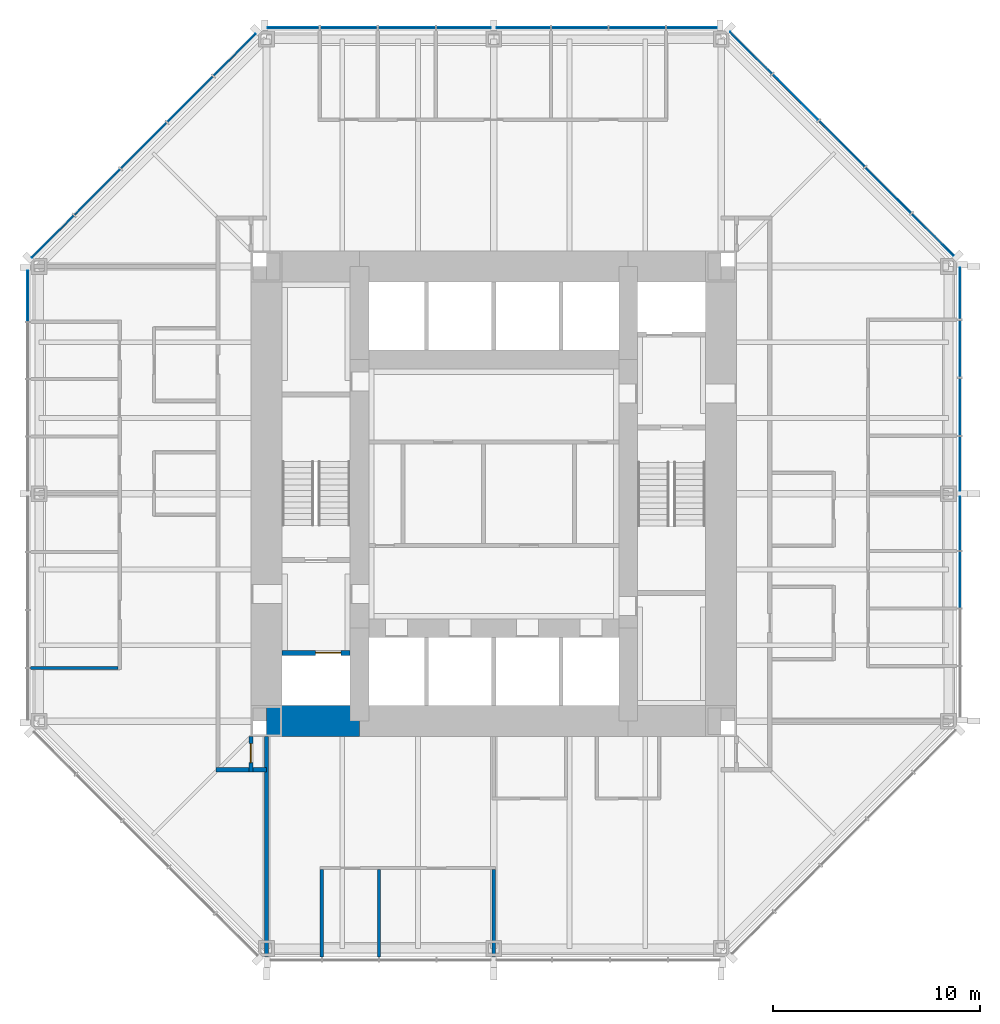
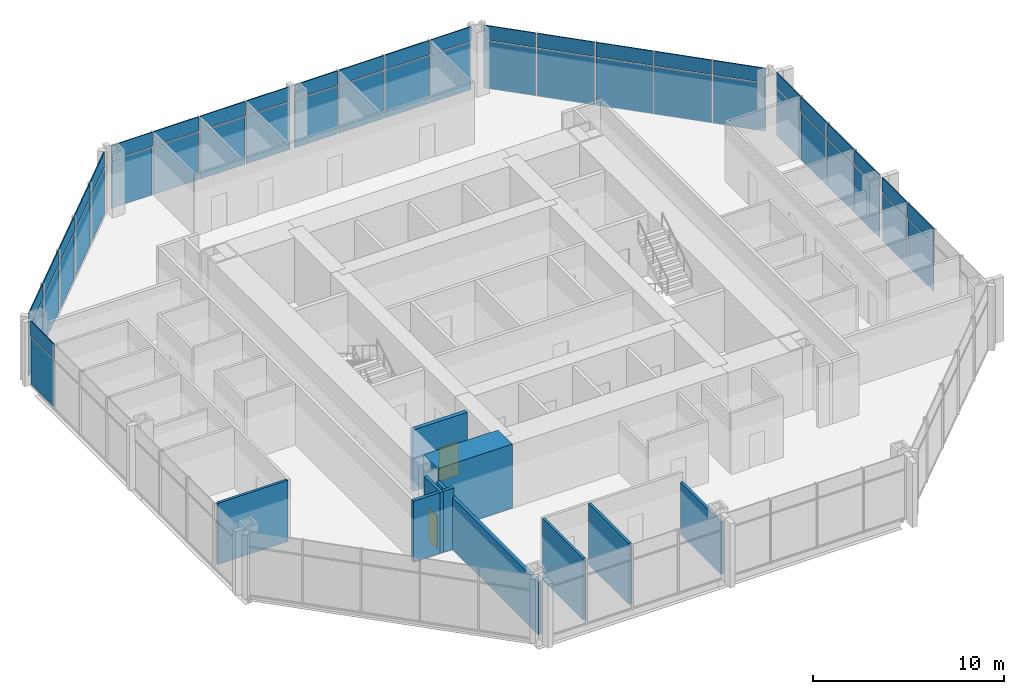
# One storey, part 8 of 12: 50 plates, 9 walls, 2 doors, 2 openings, 5 elements without a shape of their own.
"""IFC4 building model written with IfcOpenShell, lengths in metres."""

from ifc_helpers import new_model, si_unit, direction, frame, frame_2d, origin, origin_2d, place, context, subcontext, project, spatial, rectangle, extrude, material, layer, layer_set, type_object, element, fill, aggregate, save


model = new_model("IFC4")

# Units and contexts
model_context = context("Model", 3, precision=1e-05, world=origin(), true_north=direction((0.0, 1.0)))
body_context = subcontext(model_context, "Body", "Model", "MODEL_VIEW")
ifc_project = project(units=[si_unit("LENGTHUNIT", "METRE"), si_unit("AREAUNIT", "SQUARE_METRE"), si_unit("VOLUMEUNIT", "CUBIC_METRE"), si_unit("PLANEANGLEUNIT", "RADIAN"), si_unit("MASSUNIT", "GRAM", prefix="KILO")], contexts=[model_context])

# Site, building, storey
site_placement = place(None, origin())
site = spatial("IfcSite", under=ifc_project, at=site_placement, CompositionType="ELEMENT")
building_placement = place(site_placement, origin())
building = spatial("IfcBuilding", under=site, at=building_placement, Name="Trevanion Tower", CompositionType="ELEMENT")
storey_placement = place(building_placement, frame((0.0, 0.0, 117.199951171875)))
storey = spatial("IfcBuildingStorey", under=building, at=storey_placement, Name="L27", CompositionType="ELEMENT", Elevation=117.199951171875)

# Curtain wall, plates
ifc_material_1 = material(Name="Aluminium and glass", Category="aluminium")
curtain_wall_type = type_object("IfcCurtainWallType", Name="CW2 curtain wall", PredefinedType="USERDEFINED", material=ifc_material_1)
curtain_wall_1_placement = place(storey_placement, origin())
curtain_wall_1 = element("IfcCurtainWall", 1, at=curtain_wall_1_placement, inside=storey, type_object=curtain_wall_type, Name="CW2 L27 0", ObjectType="UNITISED CURTAIN WALL", PredefinedType="USERDEFINED")
ifc_material_2 = material(Name="Aluminium spandrel panel", Category="aluminium")
ifc_layer_1 = layer(ifc_material_2, 0.06005859375)
ifc_layer_set_1 = layer_set([ifc_layer_1], Name="CW2 spandrel panel")
plate_type_1 = type_object("IfcPlateType", Name="CW2 spandrel panel", PredefinedType="CURTAIN_PANEL", material=ifc_layer_set_1)
plate_1_placement = place(storey_placement, frame((22.550048828125, -4.16162109375, 2.99755859375), z_axis=(0.0, 0.0, 1.0), x_axis=(0.0, 1.0, 0.0)))
plate_1 = element("IfcPlate", 2, at=plate_1_placement, type_object=plate_type_1, Name="CW2 panel 3.2", PredefinedType="CURTAIN_PANEL", context=body_context, shape_type="SweptSolid", body=[
    extrude(rectangle(XDim=2.699462890625, YDim=0.06005859375, at=origin_2d()), origin(), (0.0, 0.0, 1.0), 0.91259765625),
])
plate_2_placement = place(storey_placement, frame((22.550048828125, -1.443603515625, 2.99755859375), z_axis=(0.0, 0.0, 1.0), x_axis=(0.0, 1.0, 0.0)))
plate_2 = element("IfcPlate", 3, at=plate_2_placement, type_object=plate_type_1, Name="CW2 panel 4.2", PredefinedType="CURTAIN_PANEL", context=body_context, shape_type="SweptSolid", body=[
    extrude(rectangle(XDim=2.5869140625, YDim=0.06005859375, at=origin_2d()), origin(), (0.0, 0.0, 1.0), 0.91259765625),
])
plate_3_placement = place(storey_placement, frame((22.550048828125, 1.459716796875, 2.99755859375), z_axis=(0.0, 0.0, 1.0), x_axis=(0.0, 1.0, 0.0)))
plate_3 = element("IfcPlate", 4, at=plate_3_placement, type_object=plate_type_1, Name="CW2 panel 5.2", PredefinedType="CURTAIN_PANEL", context=body_context, shape_type="SweptSolid", body=[
    extrude(rectangle(XDim=2.619384765625, YDim=0.06005859375, at=origin_2d()), origin(), (0.0, 0.0, 1.0), 0.91259765625),
])
plate_4_placement = place(storey_placement, frame((22.550048828125, 4.21044921875, 2.99755859375), z_axis=(0.0, 0.0, 1.0), x_axis=(0.0, 1.0, 0.0)))
plate_4 = element("IfcPlate", 5, at=plate_4_placement, type_object=plate_type_1, Name="CW2 panel 6.2", PredefinedType="CURTAIN_PANEL", context=body_context, shape_type="SweptSolid", body=[
    extrude(rectangle(XDim=2.73193359375, YDim=0.06005859375, at=origin_2d()), origin(), (0.0, 0.0, 1.0), 0.91259765625),
])
plate_5_placement = place(storey_placement, frame((22.550048828125, 7.017333984375, 2.99755859375), z_axis=(0.0, 0.0, 1.0), x_axis=(0.0, 1.0, 0.0)))
plate_5 = element("IfcPlate", 6, at=plate_5_placement, type_object=plate_type_1, Name="CW2 panel 7.2", PredefinedType="CURTAIN_PANEL", context=body_context, shape_type="SweptSolid", body=[
    extrude(rectangle(XDim=2.73193359375, YDim=0.06005859375, at=origin_2d()), origin(), (0.0, 0.0, 1.0), 0.91259765625),
])
plate_6_placement = place(storey_placement, frame((22.550048828125, 9.693115234375, 2.99755859375), z_axis=(0.0, 0.0, 1.0), x_axis=(0.0, 1.0, 0.0)))
plate_6 = element("IfcPlate", 7, at=plate_6_placement, type_object=plate_type_1, Name="CW2 panel 8.2", PredefinedType="CURTAIN_PANEL", context=body_context, shape_type="SweptSolid", body=[
    extrude(rectangle(XDim=2.469482421875, YDim=0.06005859375, at=origin_2d()), origin(), (0.0, 0.0, 1.0), 0.91259765625),
])

curtain_wall_2_placement = place(storey_placement, origin())
curtain_wall_2 = element("IfcCurtainWall", 8, at=curtain_wall_2_placement, inside=storey, type_object=curtain_wall_type, Name="CW2 L27 1", ObjectType="UNITISED CURTAIN WALL", PredefinedType="USERDEFINED")
plate_7_placement = place(storey_placement, frame((21.2421875, 12.53564453125, 2.99755859375), z_axis=(0.0, 0.0, 1.0), x_axis=(-0.707106781187, 0.707106781187, 0.0)))
plate_7 = element("IfcPlate", 9, at=plate_7_placement, type_object=plate_type_1, Name="CW2 panel 1.2", PredefinedType="CURTAIN_PANEL", context=body_context, shape_type="SweptSolid", body=[
    extrude(rectangle(XDim=2.8388671875, YDim=0.06005859375, at=origin_2d()), origin(), (0.0, 0.0, 1.0), 0.91259765625),
])
plate_8_placement = place(storey_placement, frame((19.089111328125, 14.688720703125, 2.99755859375), z_axis=(0.0, 0.0, 1.0), x_axis=(-0.707106781187, 0.707106781187, 0.0)))
plate_8 = element("IfcPlate", 10, at=plate_8_placement, type_object=plate_type_1, Name="CW2 panel 2.2", PredefinedType="CURTAIN_PANEL", context=body_context, shape_type="SweptSolid", body=[
    extrude(rectangle(XDim=3.101318359375, YDim=0.06005859375, at=origin_2d()), origin(), (0.0, 0.0, 1.0), 0.91259765625),
])
plate_9_placement = place(storey_placement, frame((16.843017578125, 16.934814453125, 2.99755859375), z_axis=(0.0, 0.0, 1.0), x_axis=(-0.707106781187, 0.707106781187, 0.0)))
plate_9 = element("IfcPlate", 11, at=plate_9_placement, type_object=plate_type_1, Name="CW2 panel 3.2", PredefinedType="CURTAIN_PANEL", context=body_context, shape_type="SweptSolid", body=[
    extrude(rectangle(XDim=3.101318359375, YDim=0.06005859375, at=origin_2d()), origin(), (0.0, 0.0, 1.0), 0.91259765625),
])
plate_10_placement = place(storey_placement, frame((14.596923828125, 19.180908203125, 2.99755859375), z_axis=(0.0, 0.0, 1.0), x_axis=(-0.707106781187, 0.707106781187, 0.0)))
plate_10 = element("IfcPlate", 12, at=plate_10_placement, type_object=plate_type_1, Name="CW2 panel 4.2", PredefinedType="CURTAIN_PANEL", context=body_context, shape_type="SweptSolid", body=[
    extrude(rectangle(XDim=3.101318359375, YDim=0.06005859375, at=origin_2d()), origin(), (0.0, 0.0, 1.0), 0.91259765625),
])
plate_11_placement = place(storey_placement, frame((12.443603515625, 21.334228515625, 2.99755859375), z_axis=(0.0, 0.0, 1.0), x_axis=(-0.707106781187, 0.707106781187, 0.0)))
plate_11 = element("IfcPlate", 13, at=plate_11_placement, type_object=plate_type_1, Name="CW2 panel 5.2", PredefinedType="CURTAIN_PANEL", context=body_context, shape_type="SweptSolid", body=[
    extrude(rectangle(XDim=2.8388671875, YDim=0.06005859375, at=origin_2d()), origin(), (0.0, 0.0, 1.0), 0.91259765625),
])

curtain_wall_3_placement = place(storey_placement, origin())
curtain_wall_3 = element("IfcCurtainWall", 14, at=curtain_wall_3_placement, inside=storey, type_object=curtain_wall_type, Name="CW2 L27 2", ObjectType="UNITISED CURTAIN WALL", PredefinedType="USERDEFINED")
plate_12_placement = place(storey_placement, frame((9.579345703125, 22.550048828125, 2.99755859375), z_axis=(0.0, 0.0, 1.0), x_axis=(-1.0, 0.0, 0.0)))
plate_12 = element("IfcPlate", 15, at=plate_12_placement, type_object=plate_type_1, Name="CW2 panel 1.2", PredefinedType="CURTAIN_PANEL", context=body_context, shape_type="SweptSolid", body=[
    extrude(rectangle(XDim=2.43701171875, YDim=0.06005859375, at=origin_2d()), origin(), (0.0, 0.0, 1.0), 0.91259765625),
])
plate_13_placement = place(storey_placement, frame((6.93603515625, 22.550048828125, 2.99755859375), z_axis=(0.0, 0.0, 1.0), x_axis=(-1.0, 0.0, 0.0)))
plate_13 = element("IfcPlate", 16, at=plate_13_placement, type_object=plate_type_1, Name="CW2 panel 2.2", PredefinedType="CURTAIN_PANEL", context=body_context, shape_type="SweptSolid", body=[
    extrude(rectangle(XDim=2.699462890625, YDim=0.06005859375, at=origin_2d()), origin(), (0.0, 0.0, 1.0), 0.91259765625),
])
plate_14_placement = place(storey_placement, frame((4.16162109375, 22.550048828125, 2.99755859375), z_axis=(0.0, 0.0, 1.0), x_axis=(-1.0, 0.0, 0.0)))
plate_14 = element("IfcPlate", 17, at=plate_14_placement, type_object=plate_type_1, Name="CW2 panel 3.2", PredefinedType="CURTAIN_PANEL", context=body_context, shape_type="SweptSolid", body=[
    extrude(rectangle(XDim=2.699462890625, YDim=0.06005859375, at=origin_2d()), origin(), (0.0, 0.0, 1.0), 0.91259765625),
])
plate_15_placement = place(storey_placement, frame((1.443603515625, 22.550048828125, 2.99755859375), z_axis=(0.0, 0.0, 1.0), x_axis=(-1.0, 0.0, 0.0)))
plate_15 = element("IfcPlate", 18, at=plate_15_placement, type_object=plate_type_1, Name="CW2 panel 4.2", PredefinedType="CURTAIN_PANEL", context=body_context, shape_type="SweptSolid", body=[
    extrude(rectangle(XDim=2.5869140625, YDim=0.06005859375, at=origin_2d()), origin(), (0.0, 0.0, 1.0), 0.91259765625),
])
plate_16_placement = place(storey_placement, frame((-1.459716796875, 22.550048828125, 2.99755859375), z_axis=(0.0, 0.0, 1.0), x_axis=(-1.0, 0.0, 0.0)))
plate_16 = element("IfcPlate", 19, at=plate_16_placement, type_object=plate_type_1, Name="CW2 panel 5.2", PredefinedType="CURTAIN_PANEL", context=body_context, shape_type="SweptSolid", body=[
    extrude(rectangle(XDim=2.619384765625, YDim=0.06005859375, at=origin_2d()), origin(), (0.0, 0.0, 1.0), 0.91259765625),
])
plate_17_placement = place(storey_placement, frame((-4.21044921875, 22.550048828125, 2.99755859375), z_axis=(0.0, 0.0, 1.0), x_axis=(-1.0, 0.0, 0.0)))
plate_17 = element("IfcPlate", 20, at=plate_17_placement, type_object=plate_type_1, Name="CW2 panel 6.2", PredefinedType="CURTAIN_PANEL", context=body_context, shape_type="SweptSolid", body=[
    extrude(rectangle(XDim=2.73193359375, YDim=0.06005859375, at=origin_2d()), origin(), (0.0, 0.0, 1.0), 0.91259765625),
])
plate_18_placement = place(storey_placement, frame((-7.017333984375, 22.550048828125, 2.99755859375), z_axis=(0.0, 0.0, 1.0), x_axis=(-1.0, 0.0, 0.0)))
plate_18 = element("IfcPlate", 21, at=plate_18_placement, type_object=plate_type_1, Name="CW2 panel 7.2", PredefinedType="CURTAIN_PANEL", context=body_context, shape_type="SweptSolid", body=[
    extrude(rectangle(XDim=2.73193359375, YDim=0.06005859375, at=origin_2d()), origin(), (0.0, 0.0, 1.0), 0.91259765625),
])
plate_19_placement = place(storey_placement, frame((-9.693115234375, 22.550048828125, 2.99755859375), z_axis=(0.0, 0.0, 1.0), x_axis=(-1.0, 0.0, 0.0)))
plate_19 = element("IfcPlate", 22, at=plate_19_placement, type_object=plate_type_1, Name="CW2 panel 8.2", PredefinedType="CURTAIN_PANEL", context=body_context, shape_type="SweptSolid", body=[
    extrude(rectangle(XDim=2.469482421875, YDim=0.06005859375, at=origin_2d()), origin(), (0.0, 0.0, 1.0), 0.91259765625),
])

curtain_wall_4_placement = place(storey_placement, origin())
curtain_wall_4 = element("IfcCurtainWall", 23, at=curtain_wall_4_placement, inside=storey, type_object=curtain_wall_type, Name="CW2 L27 3", ObjectType="UNITISED CURTAIN WALL", PredefinedType="USERDEFINED")
plate_20_placement = place(storey_placement, frame((-12.53564453125, 21.2421875, 2.99755859375), z_axis=(0.0, 0.0, 1.0), x_axis=(-0.707106781187, -0.707106781187, 0.0)))
plate_20 = element("IfcPlate", 24, at=plate_20_placement, type_object=plate_type_1, Name="CW2 panel 1.2", PredefinedType="CURTAIN_PANEL", context=body_context, shape_type="SweptSolid", body=[
    extrude(rectangle(XDim=2.8388671875, YDim=0.06005859375, at=origin_2d()), origin(), (0.0, 0.0, 1.0), 0.91259765625),
])
plate_21_placement = place(storey_placement, frame((-14.688720703125, 19.089111328125, 2.99755859375), z_axis=(0.0, 0.0, 1.0), x_axis=(-0.707106781187, -0.707106781187, 0.0)))
plate_21 = element("IfcPlate", 25, at=plate_21_placement, type_object=plate_type_1, Name="CW2 panel 2.2", PredefinedType="CURTAIN_PANEL", context=body_context, shape_type="SweptSolid", body=[
    extrude(rectangle(XDim=3.101318359375, YDim=0.06005859375, at=origin_2d()), origin(), (0.0, 0.0, 1.0), 0.91259765625),
])
plate_22_placement = place(storey_placement, frame((-16.934814453125, 16.843017578125, 2.99755859375), z_axis=(0.0, 0.0, 1.0), x_axis=(-0.707106781187, -0.707106781187, 0.0)))
plate_22 = element("IfcPlate", 26, at=plate_22_placement, type_object=plate_type_1, Name="CW2 panel 3.2", PredefinedType="CURTAIN_PANEL", context=body_context, shape_type="SweptSolid", body=[
    extrude(rectangle(XDim=3.101318359375, YDim=0.06005859375, at=origin_2d()), origin(), (0.0, 0.0, 1.0), 0.91259765625),
])
plate_23_placement = place(storey_placement, frame((-19.180908203125, 14.596923828125, 2.99755859375), z_axis=(0.0, 0.0, 1.0), x_axis=(-0.707106781187, -0.707106781187, 0.0)))
plate_23 = element("IfcPlate", 27, at=plate_23_placement, type_object=plate_type_1, Name="CW2 panel 4.2", PredefinedType="CURTAIN_PANEL", context=body_context, shape_type="SweptSolid", body=[
    extrude(rectangle(XDim=3.101318359375, YDim=0.06005859375, at=origin_2d()), origin(), (0.0, 0.0, 1.0), 0.91259765625),
])
plate_24_placement = place(storey_placement, frame((-21.334228515625, 12.443603515625, 2.99755859375), z_axis=(0.0, 0.0, 1.0), x_axis=(-0.707106781187, -0.707106781187, 0.0)))
plate_24 = element("IfcPlate", 28, at=plate_24_placement, type_object=plate_type_1, Name="CW2 panel 5.2", PredefinedType="CURTAIN_PANEL", context=body_context, shape_type="SweptSolid", body=[
    extrude(rectangle(XDim=2.8388671875, YDim=0.06005859375, at=origin_2d()), origin(), (0.0, 0.0, 1.0), 0.91259765625),
])

# Curtain wall, plate
curtain_wall_5_placement = place(storey_placement, origin())
curtain_wall_5 = element("IfcCurtainWall", 29, at=curtain_wall_5_placement, inside=storey, type_object=curtain_wall_type, Name="CW2 L27 4", ObjectType="UNITISED CURTAIN WALL", PredefinedType="USERDEFINED")
plate_25_placement = place(storey_placement, frame((-22.550048828125, 9.579345703125, 2.99755859375), z_axis=(0.0, 0.0, 1.0), x_axis=(0.0, -1.0, 0.0)))
plate_25 = element("IfcPlate", 30, at=plate_25_placement, type_object=plate_type_1, Name="CW2 panel 1.2", PredefinedType="CURTAIN_PANEL", context=body_context, shape_type="SweptSolid", body=[
    extrude(rectangle(XDim=2.43701171875, YDim=0.06005859375, at=origin_2d()), origin(), (0.0, 0.0, 1.0), 0.91259765625),
])

# Plate
ifc_material_3 = material(Name="Insulating glass unit", Category="glass")
ifc_layer_2 = layer(ifc_material_3, 0.028076171875)
ifc_layer_set_2 = layer_set([ifc_layer_2], Name="CW2 vision panel")
plate_type_2 = type_object("IfcPlateType", Name="CW2 vision panel", PredefinedType="CURTAIN_PANEL", material=ifc_layer_set_2)
plate_26_placement = place(storey_placement, frame((22.550048828125, -4.16162109375, -0.114990234375), z_axis=(0.0, 0.0, 1.0), x_axis=(0.0, 1.0, 0.0)))
plate_26 = element("IfcPlate", 31, at=plate_26_placement, type_object=plate_type_2, Name="CW2 panel 3.1", PredefinedType="CURTAIN_PANEL", context=body_context, shape_type="SweptSolid", body=[
    extrude(rectangle(XDim=2.699462890625, YDim=0.028076171875, at=origin_2d()), origin(), (0.0, 0.0, 1.0), 3.03759765625),
])

plate_27_placement = place(storey_placement, frame((22.550048828125, -1.443603515625, -0.114990234375), z_axis=(0.0, 0.0, 1.0), x_axis=(0.0, 1.0, 0.0)))
plate_27 = element("IfcPlate", 32, at=plate_27_placement, type_object=plate_type_2, Name="CW2 panel 4.1", PredefinedType="CURTAIN_PANEL", context=body_context, shape_type="SweptSolid", body=[
    extrude(rectangle(XDim=2.5869140625, YDim=0.028076171875, at=origin_2d()), origin(), (0.0, 0.0, 1.0), 3.03759765625),
])

plate_28_placement = place(storey_placement, frame((22.550048828125, 1.459716796875, -0.114990234375), z_axis=(0.0, 0.0, 1.0), x_axis=(0.0, 1.0, 0.0)))
plate_28 = element("IfcPlate", 33, at=plate_28_placement, type_object=plate_type_2, Name="CW2 panel 5.1", PredefinedType="CURTAIN_PANEL", context=body_context, shape_type="SweptSolid", body=[
    extrude(rectangle(XDim=2.619384765625, YDim=0.028076171875, at=origin_2d()), origin(), (0.0, 0.0, 1.0), 3.03759765625),
])

plate_29_placement = place(storey_placement, frame((22.550048828125, 4.21044921875, -0.114990234375), z_axis=(0.0, 0.0, 1.0), x_axis=(0.0, 1.0, 0.0)))
plate_29 = element("IfcPlate", 34, at=plate_29_placement, type_object=plate_type_2, Name="CW2 panel 6.1", PredefinedType="CURTAIN_PANEL", context=body_context, shape_type="SweptSolid", body=[
    extrude(rectangle(XDim=2.73193359375, YDim=0.028076171875, at=origin_2d()), origin(), (0.0, 0.0, 1.0), 3.03759765625),
])

plate_30_placement = place(storey_placement, frame((22.550048828125, 7.017333984375, -0.114990234375), z_axis=(0.0, 0.0, 1.0), x_axis=(0.0, 1.0, 0.0)))
plate_30 = element("IfcPlate", 35, at=plate_30_placement, type_object=plate_type_2, Name="CW2 panel 7.1", PredefinedType="CURTAIN_PANEL", context=body_context, shape_type="SweptSolid", body=[
    extrude(rectangle(XDim=2.73193359375, YDim=0.028076171875, at=origin_2d()), origin(), (0.0, 0.0, 1.0), 3.03759765625),
])

plate_31_placement = place(storey_placement, frame((22.550048828125, 9.693115234375, -0.114990234375), z_axis=(0.0, 0.0, 1.0), x_axis=(0.0, 1.0, 0.0)))
plate_31 = element("IfcPlate", 36, at=plate_31_placement, type_object=plate_type_2, Name="CW2 panel 8.1", PredefinedType="CURTAIN_PANEL", context=body_context, shape_type="SweptSolid", body=[
    extrude(rectangle(XDim=2.469482421875, YDim=0.028076171875, at=origin_2d()), origin(), (0.0, 0.0, 1.0), 3.03759765625),
])

aggregate(curtain_wall_1, [plate_26, plate_1, plate_27, plate_2, plate_28, plate_3, plate_29, plate_4, plate_30, plate_5, plate_31, plate_6])

plate_32_placement = place(storey_placement, frame((21.2421875, 12.53564453125, -0.114990234375), z_axis=(0.0, 0.0, 1.0), x_axis=(-0.707106781187, 0.707106781187, 0.0)))
plate_32 = element("IfcPlate", 37, at=plate_32_placement, type_object=plate_type_2, Name="CW2 panel 1.1", PredefinedType="CURTAIN_PANEL", context=body_context, shape_type="SweptSolid", body=[
    extrude(rectangle(XDim=2.8388671875, YDim=0.028076171875, at=origin_2d()), origin(), (0.0, 0.0, 1.0), 3.03759765625),
])

plate_33_placement = place(storey_placement, frame((19.089111328125, 14.688720703125, -0.114990234375), z_axis=(0.0, 0.0, 1.0), x_axis=(-0.707106781187, 0.707106781187, 0.0)))
plate_33 = element("IfcPlate", 38, at=plate_33_placement, type_object=plate_type_2, Name="CW2 panel 2.1", PredefinedType="CURTAIN_PANEL", context=body_context, shape_type="SweptSolid", body=[
    extrude(rectangle(XDim=3.101318359375, YDim=0.028076171875, at=origin_2d()), origin(), (0.0, 0.0, 1.0), 3.03759765625),
])

plate_34_placement = place(storey_placement, frame((16.843017578125, 16.934814453125, -0.114990234375), z_axis=(0.0, 0.0, 1.0), x_axis=(-0.707106781187, 0.707106781187, 0.0)))
plate_34 = element("IfcPlate", 39, at=plate_34_placement, type_object=plate_type_2, Name="CW2 panel 3.1", PredefinedType="CURTAIN_PANEL", context=body_context, shape_type="SweptSolid", body=[
    extrude(rectangle(XDim=3.101318359375, YDim=0.028076171875, at=origin_2d()), origin(), (0.0, 0.0, 1.0), 3.03759765625),
])

plate_35_placement = place(storey_placement, frame((14.596923828125, 19.180908203125, -0.114990234375), z_axis=(0.0, 0.0, 1.0), x_axis=(-0.707106781187, 0.707106781187, 0.0)))
plate_35 = element("IfcPlate", 40, at=plate_35_placement, type_object=plate_type_2, Name="CW2 panel 4.1", PredefinedType="CURTAIN_PANEL", context=body_context, shape_type="SweptSolid", body=[
    extrude(rectangle(XDim=3.101318359375, YDim=0.028076171875, at=origin_2d()), origin(), (0.0, 0.0, 1.0), 3.03759765625),
])

plate_36_placement = place(storey_placement, frame((12.443603515625, 21.334228515625, -0.114990234375), z_axis=(0.0, 0.0, 1.0), x_axis=(-0.707106781187, 0.707106781187, 0.0)))
plate_36 = element("IfcPlate", 41, at=plate_36_placement, type_object=plate_type_2, Name="CW2 panel 5.1", PredefinedType="CURTAIN_PANEL", context=body_context, shape_type="SweptSolid", body=[
    extrude(rectangle(XDim=2.8388671875, YDim=0.028076171875, at=origin_2d()), origin(), (0.0, 0.0, 1.0), 3.03759765625),
])

aggregate(curtain_wall_2, [plate_32, plate_7, plate_33, plate_8, plate_34, plate_9, plate_35, plate_10, plate_36, plate_11])

plate_37_placement = place(storey_placement, frame((9.579345703125, 22.550048828125, -0.114990234375), z_axis=(0.0, 0.0, 1.0), x_axis=(-1.0, 0.0, 0.0)))
plate_37 = element("IfcPlate", 42, at=plate_37_placement, type_object=plate_type_2, Name="CW2 panel 1.1", PredefinedType="CURTAIN_PANEL", context=body_context, shape_type="SweptSolid", body=[
    extrude(rectangle(XDim=2.43701171875, YDim=0.028076171875, at=origin_2d()), origin(), (0.0, 0.0, 1.0), 3.03759765625),
])

plate_38_placement = place(storey_placement, frame((6.93603515625, 22.550048828125, -0.114990234375), z_axis=(0.0, 0.0, 1.0), x_axis=(-1.0, 0.0, 0.0)))
plate_38 = element("IfcPlate", 43, at=plate_38_placement, type_object=plate_type_2, Name="CW2 panel 2.1", PredefinedType="CURTAIN_PANEL", context=body_context, shape_type="SweptSolid", body=[
    extrude(rectangle(XDim=2.699462890625, YDim=0.028076171875, at=origin_2d()), origin(), (0.0, 0.0, 1.0), 3.03759765625),
])

plate_39_placement = place(storey_placement, frame((4.16162109375, 22.550048828125, -0.114990234375), z_axis=(0.0, 0.0, 1.0), x_axis=(-1.0, 0.0, 0.0)))
plate_39 = element("IfcPlate", 44, at=plate_39_placement, type_object=plate_type_2, Name="CW2 panel 3.1", PredefinedType="CURTAIN_PANEL", context=body_context, shape_type="SweptSolid", body=[
    extrude(rectangle(XDim=2.699462890625, YDim=0.028076171875, at=origin_2d()), origin(), (0.0, 0.0, 1.0), 3.03759765625),
])

plate_40_placement = place(storey_placement, frame((1.443603515625, 22.550048828125, -0.114990234375), z_axis=(0.0, 0.0, 1.0), x_axis=(-1.0, 0.0, 0.0)))
plate_40 = element("IfcPlate", 45, at=plate_40_placement, type_object=plate_type_2, Name="CW2 panel 4.1", PredefinedType="CURTAIN_PANEL", context=body_context, shape_type="SweptSolid", body=[
    extrude(rectangle(XDim=2.5869140625, YDim=0.028076171875, at=origin_2d()), origin(), (0.0, 0.0, 1.0), 3.03759765625),
])

plate_41_placement = place(storey_placement, frame((-1.459716796875, 22.550048828125, -0.114990234375), z_axis=(0.0, 0.0, 1.0), x_axis=(-1.0, 0.0, 0.0)))
plate_41 = element("IfcPlate", 46, at=plate_41_placement, type_object=plate_type_2, Name="CW2 panel 5.1", PredefinedType="CURTAIN_PANEL", context=body_context, shape_type="SweptSolid", body=[
    extrude(rectangle(XDim=2.619384765625, YDim=0.028076171875, at=origin_2d()), origin(), (0.0, 0.0, 1.0), 3.03759765625),
])

plate_42_placement = place(storey_placement, frame((-4.21044921875, 22.550048828125, -0.114990234375), z_axis=(0.0, 0.0, 1.0), x_axis=(-1.0, 0.0, 0.0)))
plate_42 = element("IfcPlate", 47, at=plate_42_placement, type_object=plate_type_2, Name="CW2 panel 6.1", PredefinedType="CURTAIN_PANEL", context=body_context, shape_type="SweptSolid", body=[
    extrude(rectangle(XDim=2.73193359375, YDim=0.028076171875, at=origin_2d()), origin(), (0.0, 0.0, 1.0), 3.03759765625),
])

plate_43_placement = place(storey_placement, frame((-7.017333984375, 22.550048828125, -0.114990234375), z_axis=(0.0, 0.0, 1.0), x_axis=(-1.0, 0.0, 0.0)))
plate_43 = element("IfcPlate", 48, at=plate_43_placement, type_object=plate_type_2, Name="CW2 panel 7.1", PredefinedType="CURTAIN_PANEL", context=body_context, shape_type="SweptSolid", body=[
    extrude(rectangle(XDim=2.73193359375, YDim=0.028076171875, at=origin_2d()), origin(), (0.0, 0.0, 1.0), 3.03759765625),
])

plate_44_placement = place(storey_placement, frame((-9.693115234375, 22.550048828125, -0.114990234375), z_axis=(0.0, 0.0, 1.0), x_axis=(-1.0, 0.0, 0.0)))
plate_44 = element("IfcPlate", 49, at=plate_44_placement, type_object=plate_type_2, Name="CW2 panel 8.1", PredefinedType="CURTAIN_PANEL", context=body_context, shape_type="SweptSolid", body=[
    extrude(rectangle(XDim=2.469482421875, YDim=0.028076171875, at=origin_2d()), origin(), (0.0, 0.0, 1.0), 3.03759765625),
])

aggregate(curtain_wall_3, [plate_37, plate_12, plate_38, plate_13, plate_39, plate_14, plate_40, plate_15, plate_41, plate_16, plate_42, plate_17, plate_43, plate_18, plate_44, plate_19])

plate_45_placement = place(storey_placement, frame((-12.53564453125, 21.2421875, -0.114990234375), z_axis=(0.0, 0.0, 1.0), x_axis=(-0.707106781187, -0.707106781187, 0.0)))
plate_45 = element("IfcPlate", 50, at=plate_45_placement, type_object=plate_type_2, Name="CW2 panel 1.1", PredefinedType="CURTAIN_PANEL", context=body_context, shape_type="SweptSolid", body=[
    extrude(rectangle(XDim=2.8388671875, YDim=0.028076171875, at=origin_2d()), origin(), (0.0, 0.0, 1.0), 3.03759765625),
])

plate_46_placement = place(storey_placement, frame((-14.688720703125, 19.089111328125, -0.114990234375), z_axis=(0.0, 0.0, 1.0), x_axis=(-0.707106781187, -0.707106781187, 0.0)))
plate_46 = element("IfcPlate", 51, at=plate_46_placement, type_object=plate_type_2, Name="CW2 panel 2.1", PredefinedType="CURTAIN_PANEL", context=body_context, shape_type="SweptSolid", body=[
    extrude(rectangle(XDim=3.101318359375, YDim=0.028076171875, at=origin_2d()), origin(), (0.0, 0.0, 1.0), 3.03759765625),
])

plate_47_placement = place(storey_placement, frame((-16.934814453125, 16.843017578125, -0.114990234375), z_axis=(0.0, 0.0, 1.0), x_axis=(-0.707106781187, -0.707106781187, 0.0)))
plate_47 = element("IfcPlate", 52, at=plate_47_placement, type_object=plate_type_2, Name="CW2 panel 3.1", PredefinedType="CURTAIN_PANEL", context=body_context, shape_type="SweptSolid", body=[
    extrude(rectangle(XDim=3.101318359375, YDim=0.028076171875, at=origin_2d()), origin(), (0.0, 0.0, 1.0), 3.03759765625),
])

plate_48_placement = place(storey_placement, frame((-19.180908203125, 14.596923828125, -0.114990234375), z_axis=(0.0, 0.0, 1.0), x_axis=(-0.707106781187, -0.707106781187, 0.0)))
plate_48 = element("IfcPlate", 53, at=plate_48_placement, type_object=plate_type_2, Name="CW2 panel 4.1", PredefinedType="CURTAIN_PANEL", context=body_context, shape_type="SweptSolid", body=[
    extrude(rectangle(XDim=3.101318359375, YDim=0.028076171875, at=origin_2d()), origin(), (0.0, 0.0, 1.0), 3.03759765625),
])

plate_49_placement = place(storey_placement, frame((-21.334228515625, 12.443603515625, -0.114990234375), z_axis=(0.0, 0.0, 1.0), x_axis=(-0.707106781187, -0.707106781187, 0.0)))
plate_49 = element("IfcPlate", 54, at=plate_49_placement, type_object=plate_type_2, Name="CW2 panel 5.1", PredefinedType="CURTAIN_PANEL", context=body_context, shape_type="SweptSolid", body=[
    extrude(rectangle(XDim=2.8388671875, YDim=0.028076171875, at=origin_2d()), origin(), (0.0, 0.0, 1.0), 3.03759765625),
])

aggregate(curtain_wall_4, [plate_45, plate_20, plate_46, plate_21, plate_47, plate_22, plate_48, plate_23, plate_49, plate_24])

plate_50_placement = place(storey_placement, frame((-22.550048828125, 9.579345703125, -0.114990234375), z_axis=(0.0, 0.0, 1.0), x_axis=(0.0, -1.0, 0.0)))
plate_50 = element("IfcPlate", 55, at=plate_50_placement, type_object=plate_type_2, Name="CW2 panel 1.1", PredefinedType="CURTAIN_PANEL", context=body_context, shape_type="SweptSolid", body=[
    extrude(rectangle(XDim=2.43701171875, YDim=0.028076171875, at=origin_2d()), origin(), (0.0, 0.0, 1.0), 3.03759765625),
])

aggregate(curtain_wall_5, [plate_50, plate_25])

# Walls
ifc_material_4 = material(Name="Concrete 10,000 psi", Category="concrete")
ifc_layer_3 = layer(ifc_material_4, 1.5)
ifc_layer_set_3 = layer_set([ifc_layer_3], Name="CW1 core wall 1500")
wall_type_1 = type_object("IfcWallType", Name="CW1 core wall 1500", PredefinedType="SHEAR", material=ifc_layer_set_3)
wall_1_placement = place(storey_placement, frame((-11.0, -11.0, 0.0), z_axis=(0.0, 0.0, 1.0), x_axis=(1.0, 0.0, 0.0)))
element("IfcWall", 56, at=wall_1_placement, inside=storey, type_object=wall_type_1, Name="CW1 CS1 L27", PredefinedType="SHEAR", context=body_context, shape_type="SweptSolid", body=[
    extrude(rectangle(XDim=4.5, YDim=1.5, at=frame_2d((2.25, 0.0))), origin(), (0.0, 0.0, 1.0), 4.10009765625),
])
ifc_material_5 = material(Name="Gypsum board on steel studs", Category="steel")
ifc_layer_4 = layer(ifc_material_5, 0.14990234375)
ifc_layer_set_4 = layer_set([ifc_layer_4], Name="PT1 partition 150")
wall_type_2 = type_object("IfcWallType", Name="PT1 partition 150", PredefinedType="PARTITIONING", material=ifc_layer_set_4)
for number, where, z_axis, x_axis, name in (
    (57, (-18.175048828125, -8.4208984375, 0.0), (0.0, 0.0, 1.0), (-1.0, 0.0, 0.0), "PT1 L27 FC2S6"),
    (58, (-8.322998046875, -18.175048828125, 0.0), (0.0, 0.0, 1.0), (0.0, -1.0, 0.0), "PT1 L27 FC3S0"),
    (59, (-5.549072265625, -18.175048828125, 0.0), (0.0, 0.0, 1.0), (0.0, -1.0, 0.0), "PT1 L27 FC3S1"),
):
    element("IfcWall", number, at=place(storey_placement, frame(where, z_axis=z_axis, x_axis=x_axis)), inside=storey, type_object=wall_type_2, Name=name, PredefinedType="PARTITIONING", context=body_context, shape_type="SweptSolid", body=[
        extrude(rectangle(XDim=4.239990234375, YDim=0.14990234375, at=frame_2d((2.1201171875, 0.0))), origin(), (0.0, 0.0, 1.0), 3.91015625),
    ])
wall_2_placement = place(storey_placement, frame((0.0, -18.175048828125, 0.0), z_axis=(0.0, 0.0, 1.0), x_axis=(0.0, -1.0, 0.0)))
element("IfcWall", 60, at=wall_2_placement, inside=storey, type_object=wall_type_2, Name="PT1 L27 FC3S3", PredefinedType="PARTITIONING", context=body_context, shape_type="SweptSolid", body=[
    extrude(rectangle(XDim=4.239990234375, YDim=0.14990234375, at=frame_2d((2.1201171875, 0.0))), origin(), (0.0, 0.0, 1.0), 3.325927734375),
])

# Wall, opening, door
ifc_material_6 = material(Name="Concrete masonry, grouted", Category="masonry")
ifc_layer_5 = layer(ifc_material_6, 0.199951171875)
ifc_layer_set_5 = layer_set([ifc_layer_5], Name="PT2 partition 200 1 HR")
wall_type_3 = type_object("IfcWallType", Name="PT2 partition 200 1 HR", PredefinedType="PARTITIONING", material=ifc_layer_set_5)
wall_3_placement = place(storey_placement, frame((-11.75, -11.75, 0.0), z_axis=(0.0, 0.0, 1.0), x_axis=(0.0, -1.0, 0.0)))
wall_3 = element("IfcWall", 61, at=wall_3_placement, inside=storey, type_object=wall_type_3, Name="PT2 L27 OUSW1", PredefinedType="PARTITIONING", context=body_context, shape_type="SweptSolid", body=[
    extrude(rectangle(XDim=1.699951171875, YDim=0.199951171875, at=frame_2d((0.85009765625, 0.0))), origin(), (0.0, 0.0, 1.0), 3.91015625),
])
opening_1_placement = place(wall_3_placement, frame((0.342529296875, 0.0, 0.0)))
opening_1 = element("IfcOpeningElement", 62, at=opening_1_placement, cuts=wall_3, Name="Opening 27-022", PredefinedType="OPENING", context=body_context, shape_type="SweptSolid", body=[
    extrude(rectangle(XDim=0.9150390625, YDim=2.134033203125, at=frame_2d((0.45751953125, 1.06689453125))), frame((0.0, 0.10986328125, 0.0), z_axis=(0.0, -1.0, 0.0), x_axis=(1.0, 0.0, 0.0)), (0.0, 0.0, 1.0), 0.219970703125),
])
ifc_material_7 = material(Name="Timber veneer, fire rated", Category="wood")
door_type_1 = type_object("IfcDoorType", Name="D10 office door in a one hour wall", OperationType="SINGLE_SWING_LEFT", PredefinedType="DOOR", material=ifc_material_7)
door_1_placement = place(opening_1_placement, frame((0.9150390625, 0.0, 0.0), z_axis=(0.0, 0.0, 1.0), x_axis=(-1.0, 0.0, 0.0)))
door_1 = element("IfcDoor", 63, at=door_1_placement, inside=storey, type_object=door_type_1, Name="Door 27-022", OperationType="SINGLE_SWING_LEFT", OverallHeight=2.134033203125, OverallWidth=0.9150390625, PredefinedType="DOOR", context=body_context, shape_type="SweptSolid", body=[
    extrude(rectangle(XDim=0.9150390625, YDim=2.134033203125, at=frame_2d((0.45751953125, 1.06689453125))), frame((0.0, 0.02490234375, 0.0), z_axis=(0.0, -1.0, 0.0), x_axis=(1.0, 0.0, 0.0)), (0.0, 0.0, 1.0), 0.050048828125),
])
fill(opening_1, door_1)

# Walls
wall_4_placement = place(storey_placement, frame((-11.0, -13.35009765625, 0.0), z_axis=(0.0, 0.0, 1.0), x_axis=(-1.0, 0.0, 0.0)))
element("IfcWall", 64, at=wall_4_placement, inside=storey, type_object=wall_type_3, Name="PT2 L27 OUSW2", PredefinedType="PARTITIONING", context=body_context, shape_type="SweptSolid", body=[
    extrude(rectangle(XDim=2.449951171875, YDim=0.199951171875, at=frame_2d((1.22509765625, 0.0))), origin(), (0.0, 0.0, 1.0), 3.91015625),
])
wall_5_placement = place(storey_placement, frame((-11.0, -11.75, 0.0), z_axis=(0.0, 0.0, 1.0), x_axis=(0.0, -1.0, 0.0)))
element("IfcWall", 65, at=wall_5_placement, inside=storey, type_object=wall_type_3, Name="PT2 L27 DM2", PredefinedType="PARTITIONING", context=body_context, shape_type="SweptSolid", body=[
    extrude(rectangle(XDim=10.6650390625, YDim=0.199951171875, at=frame_2d((5.33251953125, 0.0))), origin(), (0.0, 0.0, 1.0), 3.325927734375),
])

# Wall, opening, door
ifc_material_8 = material(Name="Concrete masonry, grouted, two-hour", Category="masonry")
ifc_layer_6 = layer(ifc_material_8, 0.25)
ifc_layer_set_6 = layer_set([ifc_layer_6], Name="PT3 partition 250 2 HR")
wall_type_4 = type_object("IfcWallType", Name="PT3 partition 250 2 HR", PredefinedType="PARTITIONING", material=ifc_layer_set_6)
wall_6_placement = place(storey_placement, frame((-6.949951171875, -7.699951171875, 0.0), z_axis=(0.0, 0.0, 1.0), x_axis=(-1.0, 0.0, 0.0)))
wall_6 = element("IfcWall", 66, at=wall_6_placement, inside=storey, type_object=wall_type_4, Name="PT3 L27 WP3", PredefinedType="PARTITIONING", context=body_context, shape_type="SweptSolid", body=[
    extrude(rectangle(XDim=3.300048828125, YDim=0.25, at=frame_2d((1.64990234375, 0.0))), origin(), (0.0, 0.0, 1.0), 3.91015625),
])
opening_2_placement = place(wall_6_placement, frame((0.449951171875, 0.0, 0.0)))
opening_2 = element("IfcOpeningElement", 67, at=opening_2_placement, cuts=wall_6, Name="Opening 27-008", PredefinedType="OPENING", context=body_context, shape_type="SweptSolid", body=[
    extrude(rectangle(XDim=1.218994140625, YDim=2.134033203125, at=frame_2d((0.609375, 1.06689453125))), frame((0.0, 0.135009765625, 0.0), z_axis=(0.0, -1.0, 0.0), x_axis=(1.0, 0.0, 0.0)), (0.0, 0.0, 1.0), 0.27001953125),
])
ifc_material_9 = material(Name="Stainless steel, fire rated", Category="steel")
door_type_2 = type_object("IfcDoorType", Name="LD2 fire service lift landing door", OperationType="SLIDING_TO_LEFT", PredefinedType="DOOR", material=ifc_material_9)
door_2_placement = place(opening_2_placement, origin())
door_2 = element("IfcDoor", 68, at=door_2_placement, inside=storey, type_object=door_type_2, Name="Door 27-008", OperationType="SLIDING_TO_LEFT", OverallHeight=2.134033203125, OverallWidth=1.218994140625, PredefinedType="DOOR", context=body_context, shape_type="SweptSolid", body=[
    extrude(rectangle(XDim=1.218994140625, YDim=2.134033203125, at=frame_2d((0.609375, 1.06689453125))), frame((0.0, 0.02490234375, 0.0), z_axis=(0.0, -1.0, 0.0), x_axis=(1.0, 0.0, 0.0)), (0.0, 0.0, 1.0), 0.050048828125),
])
fill(opening_2, door_2)

save(model, "model.ifc")
